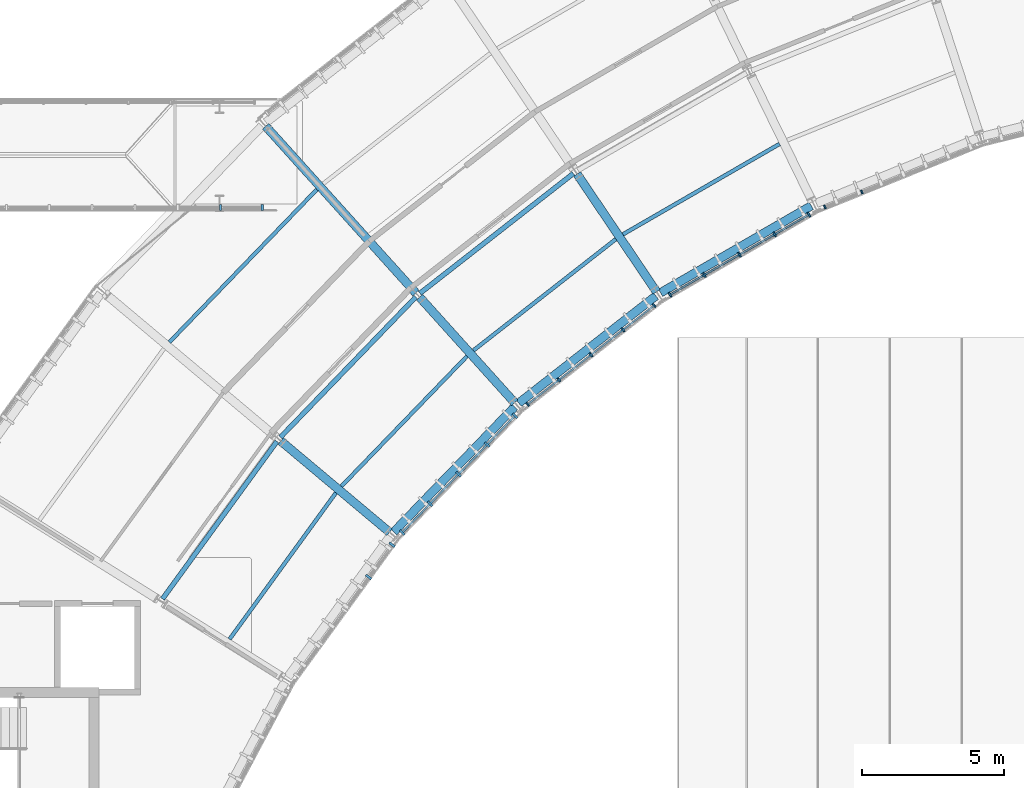
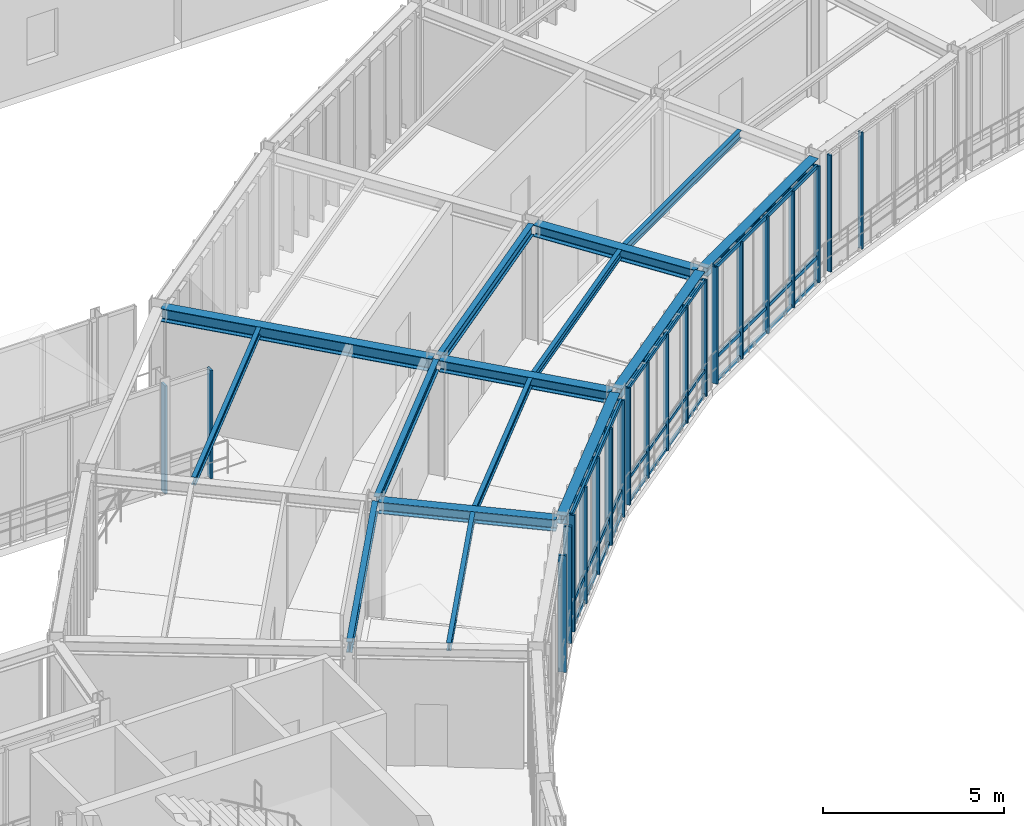
# One storey, part 17 of 57: 30 members, 15 beams, 6 elements without a shape of their own.
"""IFC4 building model written with IfcOpenShell, lengths in metres."""

from ifc_helpers import new_model, si_unit, direction, frame, origin, origin_2d, place, context, subcontext, project, spatial, rectangle, i_section, extrude, material, layer, layer_set, material_profile, profile_set, type_object, element, aggregate, save


model = new_model("IFC4")

# Units and contexts
model_context = context("Model", 3, precision=1e-05, world=origin(), true_north=direction((0.0, 1.0)))
body_context = subcontext(model_context, "Body", "Model", "MODEL_VIEW")
ifc_project = project(units=[si_unit("LENGTHUNIT", "METRE"), si_unit("AREAUNIT", "SQUARE_METRE"), si_unit("VOLUMEUNIT", "CUBIC_METRE"), si_unit("PLANEANGLEUNIT", "RADIAN"), si_unit("MASSUNIT", "GRAM", prefix="KILO"), si_unit("THERMODYNAMICTEMPERATUREUNIT", "KELVIN"), si_unit("POWERUNIT", "WATT")], contexts=[model_context])

# Site, building, storey
site_placement = place(None, origin())
site = spatial("IfcSite", under=ifc_project, at=site_placement, CompositionType="ELEMENT")
building_placement = place(site_placement, origin())
building = spatial("IfcBuilding", under=site, at=building_placement, Name="Solvatero Civic Police Headquarters", CompositionType="ELEMENT")
storey_placement = place(building_placement, frame((0.0, 0.0, 9.300048828125)))
storey = spatial("IfcBuildingStorey", under=building, at=storey_placement, Name="L02", CompositionType="ELEMENT", Elevation=9.300048828125)

# Beams
ifc_material_1 = material(Name="Steel S355", Category="steel")
ifc_material_profile_1 = material_profile(ifc_material_1, i_section(OverallWidth=0.300048828125, OverallDepth=0.2900390625, WebThickness=0.008544921875, FlangeThickness=0.013916015625, FilletRadius=0.027099609375, at=origin_2d()), Name="HEA 300")
ifc_profile_set_1 = profile_set([ifc_material_profile_1], Name="Steel S355")
beam_type_1 = type_object("IfcBeamType", Name="BM-ST-HEA300", PredefinedType="SPANDREL", material=ifc_profile_set_1)
beam_1_placement = place(storey_placement, frame((74.033203125, 66.710205078125, 3.85498046875), z_axis=(-0.86603495258, -0.499983460637, 0.0), x_axis=(0.499983460637, -0.86603495258, 0.0)))
element("IfcBeam", 1, at=beam_1_placement, inside=storey, type_object=beam_type_1, Name="Perimeter / radial spandrel beam BM-R2-L02-ARC-CIN-B05", PredefinedType="SPANDREL", context=body_context, shape_type="SweptSolid", body=[
    extrude(i_section(OverallWidth=0.300048828125, OverallDepth=0.2900390625, WebThickness=0.008544921875, FlangeThickness=0.013916015625, FilletRadius=0.027099609375, at=origin_2d()), origin(), (0.0, 0.0, 1.0), 6.126708984375),
])
for number, where, z_axis, x_axis, name in (
    (2, (68.561767578125, 63.535400390625, 3.85498046875), (-0.788005042089, -0.615668785665, 0.0), (0.615668785665, -0.788005042089, 0.0), "Perimeter / radial spandrel beam BM-R2-L02-ARC-CIN-B06"),
    (3, (63.58544921875, 59.629638671875, 3.85498046875), (-0.694666334327, -0.719332109635, 0.0), (0.719332109635, -0.694666334327, 0.0), "Perimeter / radial spandrel beam BM-R2-L02-ARC-CIN-B07"),
):
    element("IfcBeam", number, at=place(storey_placement, frame(where, z_axis=z_axis, x_axis=x_axis)), inside=storey, type_object=beam_type_1, Name=name, PredefinedType="SPANDREL", context=body_context, shape_type="SweptSolid", body=[
        extrude(i_section(OverallWidth=0.300048828125, OverallDepth=0.2900390625, WebThickness=0.008544921875, FlangeThickness=0.013916015625, FilletRadius=0.027099609375, at=origin_2d()), origin(), (0.0, 0.0, 1.0), 6.126953125),
    ])
ifc_material_profile_2 = material_profile(ifc_material_1, i_section(OverallWidth=0.300048828125, OverallDepth=0.389892578125, WebThickness=0.010986328125, FlangeThickness=0.01904296875, FilletRadius=0.027099609375, at=origin_2d()), Name="HEA 400")
ifc_profile_set_2 = profile_set([ifc_material_profile_2], Name="Steel S355")
beam_type_2 = type_object("IfcBeamType", Name="BM-ST-HEA400", PredefinedType="BEAM", material=ifc_profile_set_2)
for number, where, z_axis, x_axis, name in (
    (4, (68.584716796875, 63.6796875, 3.804931640625), (-0.559176791171, 0.829048440211, 0.0), (-0.829048440211, -0.559176791171, 0.0), "Primary girder BM-R2-L02-ARC-RAD1-S05"),
    (5, (63.587890625, 59.77587890625, 3.804931640625), (-0.669126573551, 0.743148456614, 0.0), (-0.743148456614, -0.669126573551, 0.0), "Primary girder BM-R2-L02-ARC-RAD1-S06"),
):
    element("IfcBeam", number, at=place(storey_placement, frame(where, z_axis=z_axis, x_axis=x_axis)), inside=storey, type_object=beam_type_2, Name=name, PredefinedType="BEAM", context=body_context, shape_type="SweptSolid", body=[
        extrude(i_section(OverallWidth=0.300048828125, OverallDepth=0.389892578125, WebThickness=0.010986328125, FlangeThickness=0.01904296875, FilletRadius=0.027099609375, at=origin_2d()), origin(), (0.0, 0.0, 1.0), 5.0),
    ])
beam_2_placement = place(storey_placement, frame((59.183349609375, 55.214599609375, 3.804931640625), z_axis=(-0.766035646312, 0.642798093167, 0.0), x_axis=(-0.642798093167, -0.766035646312, 0.0)))
element("IfcBeam", 6, at=beam_2_placement, inside=storey, type_object=beam_type_2, Name="Primary girder BM-R2-L02-ARC-RAD1-S07", PredefinedType="BEAM", context=body_context, shape_type="SweptSolid", body=[
    extrude(i_section(OverallWidth=0.300048828125, OverallDepth=0.389892578125, WebThickness=0.010986328125, FlangeThickness=0.01904296875, FilletRadius=0.027099609375, at=origin_2d()), origin(), (0.0, 0.0, 1.0), 5.000244140625),
])
ifc_material_profile_3 = material_profile(ifc_material_1, i_section(OverallWidth=0.300048828125, OverallDepth=0.43994140625, WebThickness=0.011474609375, FlangeThickness=0.02099609375, FilletRadius=0.027099609375, at=origin_2d()), Name="HEA 450")
ifc_profile_set_3 = profile_set([ifc_material_profile_3], Name="Steel S355")
beam_type_3 = type_object("IfcBeamType", Name="BM-ST-HEA450", PredefinedType="BEAM", material=ifc_profile_set_3)
beam_3_placement = place(storey_placement, frame((60.1083984375, 63.640380859375, 3.780029296875), z_axis=(-0.669128632475, 0.743146602766, 0.0), x_axis=(-0.743146602766, -0.669128632475, 0.0)))
element("IfcBeam", 7, at=beam_3_placement, inside=storey, type_object=beam_type_3, Name="Primary girder BM-R2-L02-ARC-RAD2-S06", PredefinedType="BEAM", context=body_context, shape_type="SweptSolid", body=[
    extrude(i_section(OverallWidth=0.300048828125, OverallDepth=0.43994140625, WebThickness=0.011474609375, FlangeThickness=0.02099609375, FilletRadius=0.027099609375, at=origin_2d()), origin(), (0.0, 0.0, 1.0), 7.899658203125),
])
ifc_material_profile_4 = material_profile(ifc_material_1, i_section(OverallWidth=0.135009765625, OverallDepth=0.27001953125, WebThickness=0.006591796875, FlangeThickness=0.01025390625, FilletRadius=0.014892578125, at=origin_2d()), Name="IPE 270")
ifc_profile_set_4 = profile_set([ifc_material_profile_4], Name="Steel S355")
beam_type_4 = type_object("IfcBeamType", Name="BM-ST-IPE270", PredefinedType="BEAM", material=ifc_profile_set_4)
beam_4_placement = place(storey_placement, frame((72.916015625, 68.887451171875, 3.864990234375), z_axis=(-0.866017059223, -0.500014452926, 0.0), x_axis=(0.500014452926, -0.866017059223, 0.0)))
element("IfcBeam", 8, at=beam_4_placement, inside=storey, type_object=beam_type_4, Name="Composite floor beam BM-R2-L02-ARC-CS1-B05", PredefinedType="BEAM", context=body_context, shape_type="SweptSolid", body=[
    extrude(i_section(OverallWidth=0.135009765625, OverallDepth=0.27001953125, WebThickness=0.006591796875, FlangeThickness=0.01025390625, FilletRadius=0.014892578125, at=origin_2d()), origin(), (0.0, 0.0, 1.0), 6.368896484375),
])
for number, where, z_axis, x_axis, name in (
    (9, (67.15234375, 65.53564453125, 3.864990234375), (-0.787994151897, -0.615682723955, 0.0), (0.615682723955, -0.787994151897, 0.0), "Composite floor beam BM-R2-L02-ARC-CS1-B06"),
    (10, (61.911376953125, 61.414306640625, 3.864990234375), (-0.694655397836, -0.719342670956, 0.0), (0.719342670956, -0.694655397836, 0.0), "Composite floor beam BM-R2-L02-ARC-CS1-B07"),
):
    element("IfcBeam", number, at=place(storey_placement, frame(where, z_axis=z_axis, x_axis=x_axis)), inside=storey, type_object=beam_type_4, Name=name, PredefinedType="BEAM", context=body_context, shape_type="SweptSolid", body=[
        extrude(i_section(OverallWidth=0.135009765625, OverallDepth=0.27001953125, WebThickness=0.006591796875, FlangeThickness=0.01025390625, FilletRadius=0.014892578125, at=origin_2d()), origin(), (0.0, 0.0, 1.0), 6.36865234375),
    ])
beam_5_placement = place(storey_placement, frame((56.625244140625, 67.285400390625, 3.864990234375), z_axis=(-0.69464641537, -0.719351345042, 0.0), x_axis=(0.719351345042, -0.69464641537, 0.0)))
element("IfcBeam", 11, at=beam_5_placement, inside=storey, type_object=beam_type_4, Name="Composite floor beam BM-R2-L02-ARC-CS2-B07", PredefinedType="BEAM", context=body_context, shape_type="SweptSolid", body=[
    extrude(i_section(OverallWidth=0.135009765625, OverallDepth=0.27001953125, WebThickness=0.006591796875, FlangeThickness=0.01025390625, FilletRadius=0.014892578125, at=origin_2d()), origin(), (0.0, 0.0, 1.0), 7.470947265625),
])
beam_6_placement = place(storey_placement, frame((57.294921875, 56.603759765625, 3.864990234375), z_axis=(-0.587786418719, -0.809016146915, 0.0), x_axis=(0.809016146915, -0.587786418719, 0.0)))
element("IfcBeam", 12, at=beam_6_placement, inside=storey, type_object=beam_type_4, Name="Composite floor beam BM-R2-L02-ARC-CS1-B08", PredefinedType="BEAM", context=body_context, shape_type="SweptSolid", body=[
    extrude(i_section(OverallWidth=0.135009765625, OverallDepth=0.27001953125, WebThickness=0.006591796875, FlangeThickness=0.01025390625, FilletRadius=0.014892578125, at=origin_2d()), origin(), (0.0, 0.0, 1.0), 6.36865234375),
])
ifc_material_profile_5 = material_profile(ifc_material_1, i_section(OverallWidth=0.169921875, OverallDepth=0.360107421875, WebThickness=0.008056640625, FlangeThickness=0.0126953125, FilletRadius=0.01806640625, at=origin_2d()), Name="IPE 360")
ifc_profile_set_5 = profile_set([ifc_material_profile_5], Name="Steel S355")
beam_type_5 = type_object("IfcBeamType", Name="BM-ST-IPE360", PredefinedType="BEAM", material=ifc_profile_set_5)
beam_7_placement = place(storey_placement, frame((65.654052734375, 67.84619140625, 3.820068359375), z_axis=(-0.788036257023, -0.615628831047, 0.0), x_axis=(0.615628831047, -0.788036257023, 0.0)))
element("IfcBeam", 13, at=beam_7_placement, inside=storey, type_object=beam_type_5, Name="Composite floor beam BM-R2-L02-ARC-CMID-B06", PredefinedType="BEAM", context=body_context, shape_type="SweptSolid", body=[
    extrude(i_section(OverallWidth=0.169921875, OverallDepth=0.360107421875, WebThickness=0.008056640625, FlangeThickness=0.0126953125, FilletRadius=0.01806640625, at=origin_2d()), origin(), (0.0, 0.0, 1.0), 6.852294921875),
])
for number, where, z_axis, x_axis, name in (
    (14, (60.10595703125, 63.494140625, 3.820068359375), (-0.694635840839, -0.719361556258, 0.0), (0.719361556258, -0.694635840839, 0.0), "Composite floor beam BM-R2-L02-ARC-CMID-B07"),
    (15, (55.2177734375, 58.412109375, 3.820068359375), (-0.587794552249, -0.809010237479, 0.0), (0.809010237479, -0.587794552249, 0.0), "Composite floor beam BM-R2-L02-ARC-CMID-B08"),
):
    element("IfcBeam", number, at=place(storey_placement, frame(where, z_axis=z_axis, x_axis=x_axis)), inside=storey, type_object=beam_type_5, Name=name, PredefinedType="BEAM", context=body_context, shape_type="SweptSolid", body=[
        extrude(i_section(OverallWidth=0.169921875, OverallDepth=0.360107421875, WebThickness=0.008056640625, FlangeThickness=0.0126953125, FilletRadius=0.01806640625, at=origin_2d()), origin(), (0.0, 0.0, 1.0), 6.8525390625),
    ])

# Curtain wall, members
ifc_material_2 = material(Name="Anodized Bronze Aluminium", Category="aluminium")
ifc_layer_1 = layer(ifc_material_2, 0.179931640625)
ifc_layer_set_1 = layer_set([ifc_layer_1], Name="Anodized Bronze Aluminium")
curtain_wall_type_1 = type_object("IfcCurtainWallType", Name="CW-ARC-IN", PredefinedType="USERDEFINED", material=ifc_layer_set_1)
curtain_wall_1_placement = place(storey_placement, origin())
curtain_wall_1 = element("IfcCurtainWall", 16, at=curtain_wall_1_placement, inside=storey, type_object=curtain_wall_type_1, Name="Curtain Wall CW-R2-L02-ARC-IN-B08", ObjectType="UNITISED", PredefinedType="USERDEFINED")
ifc_material_profile_6 = material_profile(ifc_material_2, rectangle(XDim=0.080078125, YDim=0.239990234375, at=origin_2d()), Name="ALU MULLION 80x240")
ifc_profile_set_6 = profile_set([ifc_material_profile_6], Name="Anodized Bronze Aluminium")
member_type_1 = type_object("IfcMemberType", Name="CWM-140x60", PredefinedType="MULLION", material=ifc_profile_set_6)
member_1_placement = place(storey_placement, frame((59.271484375, 54.77587890625, 0.0), z_axis=(0.0, 0.0, 1.0), x_axis=(-0.587785252292, -0.809016994375, 0.0)))
member_1 = element("IfcMember", 17, at=member_1_placement, type_object=member_type_1, Name="CW-R2-L02-ARC-IN-B08 Mullion 1", PredefinedType="MULLION", context=body_context, shape_type="SweptSolid", body=[
    extrude(rectangle(XDim=0.080078125, YDim=0.239990234375, at=origin_2d()), origin(), (0.0, 0.0, 1.0), 3.93994140625),
])
member_2_placement = place(storey_placement, frame((58.445556640625, 53.63916015625, 0.0), z_axis=(0.0, 0.0, 1.0), x_axis=(-0.587785252292, -0.809016994375, 0.0)))
member_2 = element("IfcMember", 18, at=member_2_placement, type_object=member_type_1, Name="CW-R2-L02-ARC-IN-B08 Mullion 2", PredefinedType="MULLION", context=body_context, shape_type="SweptSolid", body=[
    extrude(rectangle(XDim=0.080078125, YDim=0.239990234375, at=origin_2d()), origin(), (0.0, 0.0, 1.0), 3.93994140625),
])
aggregate(curtain_wall_1, [member_1, member_2])

curtain_wall_2_placement = place(storey_placement, origin())
curtain_wall_2 = element("IfcCurtainWall", 19, at=curtain_wall_2_placement, inside=storey, type_object=curtain_wall_type_1, Name="Curtain Wall CW-R2-L02-ARC-IN-B04", ObjectType="UNITISED", PredefinedType="USERDEFINED")
ifc_material_profile_7 = material_profile(ifc_material_2, rectangle(XDim=0.06005859375, YDim=0.139892578125, at=origin_2d()), Name="ALU MULLION 60x140")
ifc_profile_set_7 = profile_set([ifc_material_profile_7], Name="Anodized Bronze Aluminium")
member_type_2 = type_object("IfcMemberType", Name="CWM-160x65", PredefinedType="MULLION", material=ifc_profile_set_7)
member_3_placement = place(storey_placement, frame((75.814697265625, 67.197509765625, 0.0), z_axis=(0.0, 0.0, 1.0), x_axis=(-0.927183854567, -0.374606593416, 0.0)))
member_3 = element("IfcMember", 20, at=member_3_placement, type_object=member_type_2, Name="CW-R2-L02-ARC-IN-B04 Mullion 4", PredefinedType="MULLION", context=body_context, shape_type="SweptSolid", body=[
    extrude(rectangle(XDim=0.06005859375, YDim=0.139892578125, at=origin_2d()), origin(), (0.0, 0.0, 1.0), 3.93994140625),
])
member_4_placement = place(storey_placement, frame((74.51171875, 66.671142578125, 0.0), z_axis=(0.0, 0.0, 1.0), x_axis=(-0.927183854567, -0.374606593416, 0.0)))
member_4 = element("IfcMember", 21, at=member_4_placement, type_object=member_type_2, Name="CW-R2-L02-ARC-IN-B04 Mullion 5", PredefinedType="MULLION", context=body_context, shape_type="SweptSolid", body=[
    extrude(rectangle(XDim=0.06005859375, YDim=0.139892578125, at=origin_2d()), origin(), (0.0, 0.0, 1.0), 3.93994140625),
])
aggregate(curtain_wall_2, [member_3, member_4])

curtain_wall_3_placement = place(storey_placement, origin())
curtain_wall_3 = element("IfcCurtainWall", 22, at=curtain_wall_3_placement, inside=storey, type_object=curtain_wall_type_1, Name="Curtain Wall CW-R2-L02-ARC-IN-B06", ObjectType="UNITISED", PredefinedType="USERDEFINED")
ifc_material_profile_8 = material_profile(ifc_material_2, rectangle(XDim=0.06005859375, YDim=0.159912109375, at=origin_2d()), Name="ALU MULLION 60x160")
ifc_profile_set_8 = profile_set([ifc_material_profile_8], Name="Anodized Bronze Aluminium")
member_type_3 = type_object("IfcMemberType", Name="CWM-180x70", PredefinedType="MULLION", material=ifc_profile_set_8)
member_5_placement = place(storey_placement, frame((68.502197265625, 63.197509765625, 0.0), z_axis=(0.0, 0.0, 1.0), x_axis=(-0.788010753607, -0.615661475326, 0.0)))
member_5 = element("IfcMember", 23, at=member_5_placement, type_object=member_type_3, Name="CW-R2-L02-ARC-IN-B06 Mullion 1", PredefinedType="MULLION", context=body_context, shape_type="SweptSolid", body=[
    extrude(rectangle(XDim=0.06005859375, YDim=0.159912109375, at=origin_2d()), origin(), (0.0, 0.0, 1.0), 3.93994140625),
])
member_6_placement = place(storey_placement, frame((67.404296875, 62.33984375, 0.0), z_axis=(0.0, 0.0, 1.0), x_axis=(-0.788010753607, -0.615661475326, 0.0)))
member_6 = element("IfcMember", 24, at=member_6_placement, type_object=member_type_3, Name="CW-R2-L02-ARC-IN-B06 Mullion 2", PredefinedType="MULLION", context=body_context, shape_type="SweptSolid", body=[
    extrude(rectangle(XDim=0.06005859375, YDim=0.159912109375, at=origin_2d()), origin(), (0.0, 0.0, 1.0), 3.93994140625),
])
member_7_placement = place(storey_placement, frame((66.27490234375, 61.45751953125, 0.0), z_axis=(0.0, 0.0, 1.0), x_axis=(-0.788010753607, -0.615661475326, 0.0)))
member_7 = element("IfcMember", 25, at=member_7_placement, type_object=member_type_3, Name="CW-R2-L02-ARC-IN-B06 Mullion 3", PredefinedType="MULLION", context=body_context, shape_type="SweptSolid", body=[
    extrude(rectangle(XDim=0.06005859375, YDim=0.159912109375, at=origin_2d()), origin(), (0.0, 0.0, 1.0), 3.93994140625),
])
member_8_placement = place(storey_placement, frame((65.1455078125, 60.574951171875, 0.0), z_axis=(0.0, 0.0, 1.0), x_axis=(-0.788010753607, -0.615661475326, 0.0)))
member_8 = element("IfcMember", 26, at=member_8_placement, type_object=member_type_3, Name="CW-R2-L02-ARC-IN-B06 Mullion 4", PredefinedType="MULLION", context=body_context, shape_type="SweptSolid", body=[
    extrude(rectangle(XDim=0.06005859375, YDim=0.159912109375, at=origin_2d()), origin(), (0.0, 0.0, 1.0), 3.93994140625),
])
member_9_placement = place(storey_placement, frame((64.047607421875, 59.71728515625, 0.0), z_axis=(0.0, 0.0, 1.0), x_axis=(-0.788010753607, -0.615661475326, 0.0)))
member_9 = element("IfcMember", 27, at=member_9_placement, type_object=member_type_3, Name="CW-R2-L02-ARC-IN-B06 Mullion 5", PredefinedType="MULLION", context=body_context, shape_type="SweptSolid", body=[
    extrude(rectangle(XDim=0.06005859375, YDim=0.159912109375, at=origin_2d()), origin(), (0.0, 0.0, 1.0), 3.93994140625),
])

curtain_wall_4_placement = place(storey_placement, origin())
curtain_wall_4 = element("IfcCurtainWall", 28, at=curtain_wall_4_placement, inside=storey, type_object=curtain_wall_type_1, Name="Curtain Wall CW-R2-L02-ARC-IN-B05", ObjectType="UNITISED", PredefinedType="USERDEFINED")
ifc_material_profile_9 = material_profile(ifc_material_2, rectangle(XDim=0.06494140625, YDim=0.179931640625, at=origin_2d()), Name="ALU MULLION 65x180")
ifc_profile_set_9 = profile_set([ifc_material_profile_9], Name="Anodized Bronze Aluminium")
member_type_4 = type_object("IfcMemberType", Name="CWM-200x75", PredefinedType="MULLION", material=ifc_profile_set_9)
member_10_placement = place(storey_placement, frame((73.948974609375, 66.396728515625, 0.0), z_axis=(0.0, 0.0, 1.0), x_axis=(-0.866025403784, -0.5, 0.0)))
member_10 = element("IfcMember", 29, at=member_10_placement, type_object=member_type_4, Name="CW-R2-L02-ARC-IN-B05 Mullion 1", PredefinedType="MULLION", context=body_context, shape_type="SweptSolid", body=[
    extrude(rectangle(XDim=0.06494140625, YDim=0.179931640625, at=origin_2d()), origin(), (0.0, 0.0, 1.0), 3.93994140625),
])
member_11_placement = place(storey_placement, frame((72.74462890625, 65.701416015625, 0.0), z_axis=(0.0, 0.0, 1.0), x_axis=(-0.866025403784, -0.5, 0.0)))
member_11 = element("IfcMember", 30, at=member_11_placement, type_object=member_type_4, Name="CW-R2-L02-ARC-IN-B05 Mullion 2", PredefinedType="MULLION", context=body_context, shape_type="SweptSolid", body=[
    extrude(rectangle(XDim=0.06494140625, YDim=0.179931640625, at=origin_2d()), origin(), (0.0, 0.0, 1.0), 3.93994140625),
])
member_12_placement = place(storey_placement, frame((71.505859375, 64.986083984375, 0.0), z_axis=(0.0, 0.0, 1.0), x_axis=(-0.866025403784, -0.5, 0.0)))
member_12 = element("IfcMember", 31, at=member_12_placement, type_object=member_type_4, Name="CW-R2-L02-ARC-IN-B05 Mullion 3", PredefinedType="MULLION", context=body_context, shape_type="SweptSolid", body=[
    extrude(rectangle(XDim=0.06494140625, YDim=0.179931640625, at=origin_2d()), origin(), (0.0, 0.0, 1.0), 3.93994140625),
])
member_13_placement = place(storey_placement, frame((70.266845703125, 64.27099609375, 0.0), z_axis=(0.0, 0.0, 1.0), x_axis=(-0.866025403784, -0.5, 0.0)))
member_13 = element("IfcMember", 32, at=member_13_placement, type_object=member_type_4, Name="CW-R2-L02-ARC-IN-B05 Mullion 4", PredefinedType="MULLION", context=body_context, shape_type="SweptSolid", body=[
    extrude(rectangle(XDim=0.06494140625, YDim=0.179931640625, at=origin_2d()), origin(), (0.0, 0.0, 1.0), 3.93994140625),
])
member_14_placement = place(storey_placement, frame((69.062744140625, 63.57568359375, 0.0), z_axis=(0.0, 0.0, 1.0), x_axis=(-0.866025403784, -0.5, 0.0)))
member_14 = element("IfcMember", 33, at=member_14_placement, type_object=member_type_4, Name="CW-R2-L02-ARC-IN-B05 Mullion 5", PredefinedType="MULLION", context=body_context, shape_type="SweptSolid", body=[
    extrude(rectangle(XDim=0.06494140625, YDim=0.179931640625, at=origin_2d()), origin(), (0.0, 0.0, 1.0), 3.93994140625),
])

curtain_wall_5_placement = place(storey_placement, origin())
curtain_wall_5 = element("IfcCurtainWall", 34, at=curtain_wall_5_placement, inside=storey, type_object=curtain_wall_type_1, Name="Curtain Wall CW-R2-L02-ARC-IN-B07", ObjectType="UNITISED", PredefinedType="USERDEFINED")
ifc_material_profile_10 = material_profile(ifc_material_2, rectangle(XDim=0.074951171875, YDim=0.219970703125, at=origin_2d()), Name="ALU MULLION 75x220")
ifc_profile_set_10 = profile_set([ifc_material_profile_10], Name="Anodized Bronze Aluminium")
member_type_5 = type_object("IfcMemberType", Name="CWM-250x85", PredefinedType="MULLION", material=ifc_profile_set_10)
member_15_placement = place(storey_placement, frame((63.598388671875, 59.312744140625, 0.0), z_axis=(0.0, 0.0, 1.0), x_axis=(-0.694658370459, -0.719339800339, 0.0)))
member_15 = element("IfcMember", 35, at=member_15_placement, type_object=member_type_5, Name="CW-R2-L02-ARC-IN-B07 Mullion 1", PredefinedType="MULLION", context=body_context, shape_type="SweptSolid", body=[
    extrude(rectangle(XDim=0.074951171875, YDim=0.219970703125, at=origin_2d()), origin(), (0.0, 0.0, 1.0), 3.93994140625),
])
member_16_placement = place(storey_placement, frame((62.620361328125, 58.2998046875, 0.0), z_axis=(0.0, 0.0, 1.0), x_axis=(-0.694658370459, -0.719339800339, 0.0)))
member_16 = element("IfcMember", 36, at=member_16_placement, type_object=member_type_5, Name="CW-R2-L02-ARC-IN-B07 Mullion 2", PredefinedType="MULLION", context=body_context, shape_type="SweptSolid", body=[
    extrude(rectangle(XDim=0.074951171875, YDim=0.219970703125, at=origin_2d()), origin(), (0.0, 0.0, 1.0), 3.93994140625),
])
member_17_placement = place(storey_placement, frame((61.614501953125, 57.25830078125, 0.0), z_axis=(0.0, 0.0, 1.0), x_axis=(-0.694658370459, -0.719339800339, 0.0)))
member_17 = element("IfcMember", 37, at=member_17_placement, type_object=member_type_5, Name="CW-R2-L02-ARC-IN-B07 Mullion 3", PredefinedType="MULLION", context=body_context, shape_type="SweptSolid", body=[
    extrude(rectangle(XDim=0.074951171875, YDim=0.219970703125, at=origin_2d()), origin(), (0.0, 0.0, 1.0), 3.93994140625),
])
member_18_placement = place(storey_placement, frame((60.608642578125, 56.216796875, 0.0), z_axis=(0.0, 0.0, 1.0), x_axis=(-0.694658370459, -0.719339800339, 0.0)))
member_18 = element("IfcMember", 38, at=member_18_placement, type_object=member_type_5, Name="CW-R2-L02-ARC-IN-B07 Mullion 4", PredefinedType="MULLION", context=body_context, shape_type="SweptSolid", body=[
    extrude(rectangle(XDim=0.074951171875, YDim=0.219970703125, at=origin_2d()), origin(), (0.0, 0.0, 1.0), 3.93994140625),
])
member_19_placement = place(storey_placement, frame((59.630615234375, 55.203857421875, 0.0), z_axis=(0.0, 0.0, 1.0), x_axis=(-0.694658370459, -0.719339800339, 0.0)))
member_19 = element("IfcMember", 39, at=member_19_placement, type_object=member_type_5, Name="CW-R2-L02-ARC-IN-B07 Mullion 5", PredefinedType="MULLION", context=body_context, shape_type="SweptSolid", body=[
    extrude(rectangle(XDim=0.074951171875, YDim=0.219970703125, at=origin_2d()), origin(), (0.0, 0.0, 1.0), 3.93994140625),
])

ifc_layer_2 = layer(ifc_material_2, 0.179931640625)
ifc_layer_set_2 = layer_set([ifc_layer_2], Name="Anodized Bronze Aluminium")
curtain_wall_type_2 = type_object("IfcCurtainWallType", Name="CW-SB-GLZ", PredefinedType="USERDEFINED", material=ifc_layer_set_2)
curtain_wall_6_placement = place(storey_placement, origin())
curtain_wall_6 = element("IfcCurtainWall", 40, at=curtain_wall_6_placement, inside=storey, type_object=curtain_wall_type_2, Name="Curtain Wall CW-R2-L02-SB2-S", ObjectType="UNITISED", PredefinedType="USERDEFINED")
member_20_placement = place(storey_placement, frame((53.232666015625, 66.64990234375, 0.0), z_axis=(0.0, 0.0, 1.0), x_axis=(1.0, 0.0, 0.0)))
member_20 = element("IfcMember", 41, at=member_20_placement, type_object=member_type_5, Name="CW-R2-L02-SB2-S Mullion 17", PredefinedType="MULLION", context=body_context, shape_type="SweptSolid", body=[
    extrude(rectangle(XDim=0.074951171875, YDim=0.219970703125, at=origin_2d()), origin(), (0.0, 0.0, 1.0), 3.64990234375),
])
member_21_placement = place(storey_placement, frame((54.699951171875, 66.64990234375, 0.0), z_axis=(0.0, 0.0, 1.0), x_axis=(1.0, 0.0, 0.0)))
member_21 = element("IfcMember", 42, at=member_21_placement, type_object=member_type_5, Name="CW-R2-L02-SB2-S Mullion 18", PredefinedType="MULLION", context=body_context, shape_type="SweptSolid", body=[
    extrude(rectangle(XDim=0.074951171875, YDim=0.219970703125, at=origin_2d()), origin(), (0.0, 0.0, 1.0), 3.64990234375),
])
aggregate(curtain_wall_6, [member_20, member_21])

# Member
ifc_material_profile_11 = material_profile(ifc_material_2, rectangle(XDim=0.070068359375, YDim=0.159912109375, at=origin_2d()), Name="ALU TRANSOM 70x160")
ifc_profile_set_11 = profile_set([ifc_material_profile_11], Name="Anodized Bronze Aluminium")
member_type_6 = type_object("IfcMemberType", Name="CWT-120x55", PredefinedType="USERDEFINED", material=ifc_profile_set_11)
member_22_placement = place(storey_placement, frame((63.59130859375, 59.305419921875, 0.0400390625), z_axis=(-0.694667231863, -0.719331242874, 0.0), x_axis=(0.719331242874, -0.694667231863, 0.0)))
member_22 = element("IfcMember", 43, at=member_22_placement, type_object=member_type_6, Name="CW-R2-L02-ARC-IN-B07 Transom 1", ObjectType="TRANSOM", PredefinedType="USERDEFINED", context=body_context, shape_type="SweptSolid", body=[
    extrude(rectangle(XDim=0.070068359375, YDim=0.159912109375, at=origin_2d()), origin(), (0.0, 0.0, 1.0), 5.691650390625),
])

member_23_placement = place(storey_placement, frame((63.59130859375, 59.305419921875, 0.849853515625), z_axis=(-0.694667231863, -0.719331242874, 0.0), x_axis=(0.719331242874, -0.694667231863, 0.0)))
member_23 = element("IfcMember", 44, at=member_23_placement, type_object=member_type_6, Name="CW-R2-L02-ARC-IN-B07 Transom 2", ObjectType="TRANSOM", PredefinedType="USERDEFINED", context=body_context, shape_type="SweptSolid", body=[
    extrude(rectangle(XDim=0.070068359375, YDim=0.159912109375, at=origin_2d()), origin(), (0.0, 0.0, 1.0), 5.691650390625),
])

member_24_placement = place(storey_placement, frame((63.59130859375, 59.305419921875, 3.89990234375), z_axis=(-0.694667231863, -0.719331242874, 0.0), x_axis=(0.719331242874, -0.694667231863, 0.0)))
member_24 = element("IfcMember", 45, at=member_24_placement, type_object=member_type_6, Name="CW-R2-L02-ARC-IN-B07 Transom 3", ObjectType="TRANSOM", PredefinedType="USERDEFINED", context=body_context, shape_type="SweptSolid", body=[
    extrude(rectangle(XDim=0.070068359375, YDim=0.159912109375, at=origin_2d()), origin(), (0.0, 0.0, 1.0), 5.691650390625),
])

aggregate(curtain_wall_5, [member_15, member_16, member_17, member_18, member_19, member_22, member_23, member_24])

ifc_material_profile_12 = material_profile(ifc_material_2, rectangle(XDim=0.06005859375, YDim=0.110107421875, at=origin_2d()), Name="ALU TRANSOM 60x110")
ifc_profile_set_12 = profile_set([ifc_material_profile_12], Name="Anodized Bronze Aluminium")
member_type_7 = type_object("IfcMemberType", Name="CWT-140x60", PredefinedType="USERDEFINED", material=ifc_profile_set_12)
member_25_placement = place(storey_placement, frame((68.494384765625, 63.19140625, 0.0400390625), z_axis=(-0.788017802948, -0.615652452474, 0.0), x_axis=(0.615652452474, -0.788017802948, 0.0)))
member_25 = element("IfcMember", 46, at=member_25_placement, type_object=member_type_7, Name="CW-R2-L02-ARC-IN-B06 Transom 1", ObjectType="TRANSOM", PredefinedType="USERDEFINED", context=body_context, shape_type="SweptSolid", body=[
    extrude(rectangle(XDim=0.06005859375, YDim=0.110107421875, at=origin_2d()), origin(), (0.0, 0.0, 1.0), 5.633056640625),
])

member_26_placement = place(storey_placement, frame((68.494384765625, 63.19140625, 0.849853515625), z_axis=(-0.788017802948, -0.615652452474, 0.0), x_axis=(0.615652452474, -0.788017802948, 0.0)))
member_26 = element("IfcMember", 47, at=member_26_placement, type_object=member_type_7, Name="CW-R2-L02-ARC-IN-B06 Transom 2", ObjectType="TRANSOM", PredefinedType="USERDEFINED", context=body_context, shape_type="SweptSolid", body=[
    extrude(rectangle(XDim=0.06005859375, YDim=0.110107421875, at=origin_2d()), origin(), (0.0, 0.0, 1.0), 5.633056640625),
])

member_27_placement = place(storey_placement, frame((68.494384765625, 63.19140625, 3.89990234375), z_axis=(-0.788017802948, -0.615652452474, 0.0), x_axis=(0.615652452474, -0.788017802948, 0.0)))
member_27 = element("IfcMember", 48, at=member_27_placement, type_object=member_type_7, Name="CW-R2-L02-ARC-IN-B06 Transom 3", ObjectType="TRANSOM", PredefinedType="USERDEFINED", context=body_context, shape_type="SweptSolid", body=[
    extrude(rectangle(XDim=0.06005859375, YDim=0.110107421875, at=origin_2d()), origin(), (0.0, 0.0, 1.0), 5.633056640625),
])

aggregate(curtain_wall_3, [member_5, member_6, member_7, member_8, member_9, member_25, member_26, member_27])

ifc_material_profile_13 = material_profile(ifc_material_2, rectangle(XDim=0.06005859375, YDim=0.125, at=origin_2d()), Name="ALU TRANSOM 60x125")
ifc_profile_set_13 = profile_set([ifc_material_profile_13], Name="Anodized Bronze Aluminium")
member_type_8 = type_object("IfcMemberType", Name="CWT-160x65", PredefinedType="USERDEFINED", material=ifc_profile_set_13)
member_28_placement = place(storey_placement, frame((73.940185546875, 66.3916015625, 0.0400390625), z_axis=(-0.866046020142, -0.499964289721, 0.0), x_axis=(0.499964289721, -0.866046020142, 0.0)))
member_28 = element("IfcMember", 49, at=member_28_placement, type_object=member_type_8, Name="CW-R2-L02-ARC-IN-B05 Transom 1", ObjectType="TRANSOM", PredefinedType="USERDEFINED", context=body_context, shape_type="SweptSolid", body=[
    extrude(rectangle(XDim=0.06005859375, YDim=0.125, at=origin_2d()), origin(), (0.0, 0.0, 1.0), 5.6220703125),
])

member_29_placement = place(storey_placement, frame((73.940185546875, 66.3916015625, 0.849853515625), z_axis=(-0.866046020142, -0.499964289721, 0.0), x_axis=(0.499964289721, -0.866046020142, 0.0)))
member_29 = element("IfcMember", 50, at=member_29_placement, type_object=member_type_8, Name="CW-R2-L02-ARC-IN-B05 Transom 2", ObjectType="TRANSOM", PredefinedType="USERDEFINED", context=body_context, shape_type="SweptSolid", body=[
    extrude(rectangle(XDim=0.06005859375, YDim=0.125, at=origin_2d()), origin(), (0.0, 0.0, 1.0), 5.6220703125),
])

member_30_placement = place(storey_placement, frame((73.940185546875, 66.3916015625, 3.89990234375), z_axis=(-0.866046020142, -0.499964289721, 0.0), x_axis=(0.499964289721, -0.866046020142, 0.0)))
member_30 = element("IfcMember", 51, at=member_30_placement, type_object=member_type_8, Name="CW-R2-L02-ARC-IN-B05 Transom 3", ObjectType="TRANSOM", PredefinedType="USERDEFINED", context=body_context, shape_type="SweptSolid", body=[
    extrude(rectangle(XDim=0.06005859375, YDim=0.125, at=origin_2d()), origin(), (0.0, 0.0, 1.0), 5.6220703125),
])

aggregate(curtain_wall_4, [member_10, member_11, member_12, member_13, member_14, member_28, member_29, member_30])

save(model, "model.ifc")
